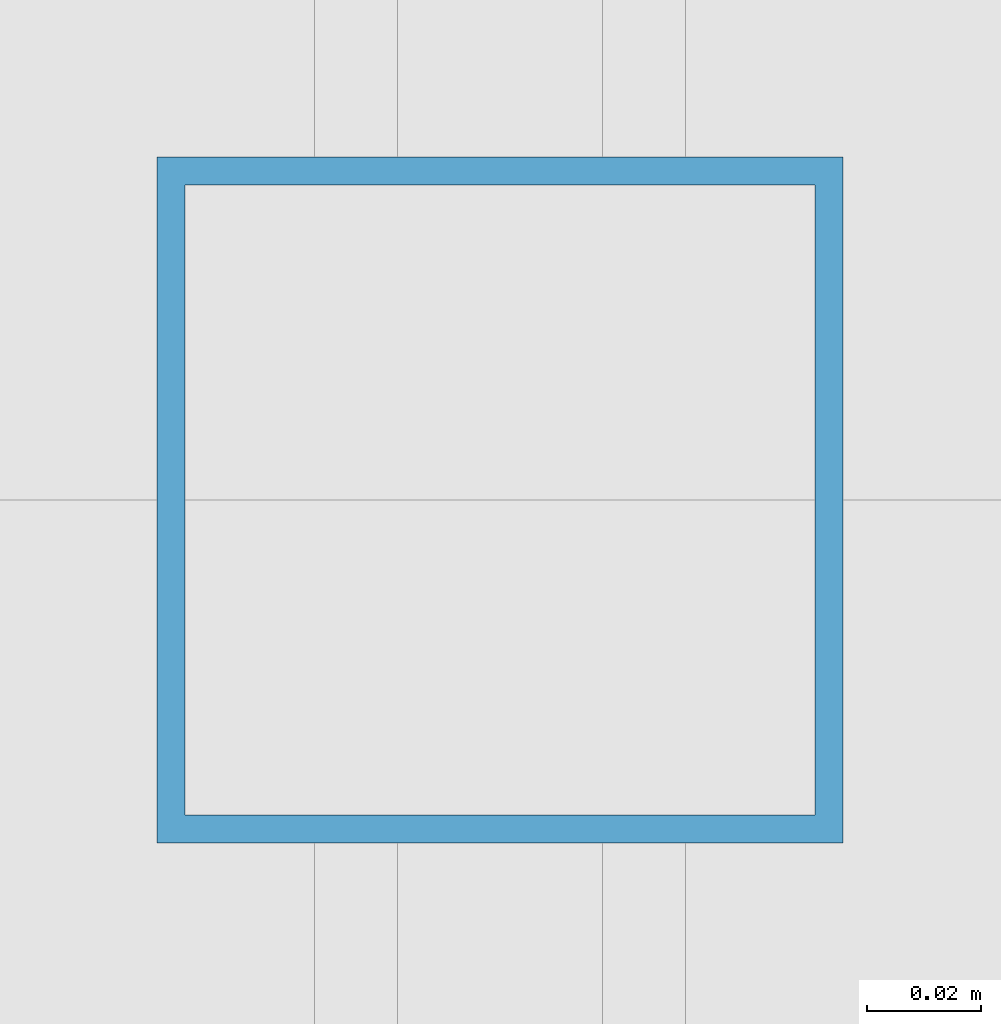
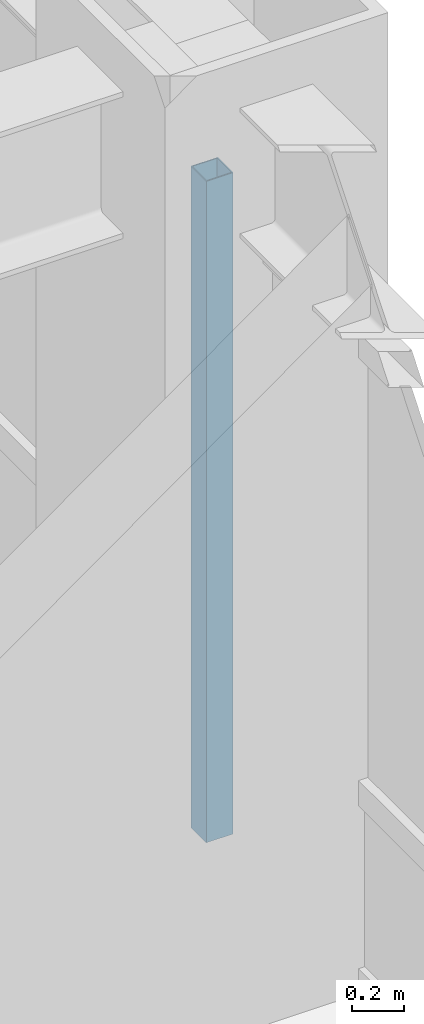
# One storey, part 10 of 24: 1 member, 1 element without a shape of its own.
"""IFC4 building model written with IfcOpenShell, lengths in metres."""

from ifc_helpers import new_model, si_unit, direction, frame, origin, origin_2d, place, context, subcontext, project, spatial, hollow_rectangle, extrude, source, transform, mapped, material, material_profile, profile_set, type_object, element, aggregate, save


model = new_model("IFC4")

# Units and contexts
model_context = context("Model", 3, precision=1e-05, world=origin(), true_north=direction((0.0, 1.0)))
body_context = subcontext(model_context, "Body", "Model", "MODEL_VIEW")
ifc_project = project(units=[si_unit("LENGTHUNIT", "METRE"), si_unit("AREAUNIT", "SQUARE_METRE"), si_unit("VOLUMEUNIT", "CUBIC_METRE"), si_unit("PLANEANGLEUNIT", "RADIAN"), si_unit("MASSUNIT", "GRAM", prefix="KILO")], contexts=[model_context])

# Site, building, storey
site_placement = place(None, origin())
site = spatial("IfcSite", under=ifc_project, at=site_placement, CompositionType="ELEMENT")
building_placement = place(site_placement, origin())
building = spatial("IfcBuilding", under=site, at=building_placement, Name="Khorayat Bourse Tower", CompositionType="ELEMENT")
storey_placement = place(building_placement, frame((0.0, 0.0, 259.10009765625)))
storey = spatial("IfcBuildingStorey", under=building, at=storey_placement, Name="L61", CompositionType="ELEMENT", Elevation=259.10009765625)

# Curtain wall, member
ifc_material = material(Name="Aluminium EN AW-6063 T6", Category="aluminium")
curtain_wall_type = type_object("IfcCurtainWallType", Name="CW-SYS-03", PredefinedType="NOTDEFINED", material=ifc_material)
curtain_wall_placement = place(storey_placement, origin())
curtain_wall = element("IfcCurtainWall", 1, at=curtain_wall_placement, inside=storey, type_object=curtain_wall_type, Name="L61 Curtain Wall CW-L61-E1", PredefinedType="NOTDEFINED")
ifc_material_profile = material_profile(ifc_material, hollow_rectangle(XDim=0.1201171875, YDim=0.1201171875, WallThickness=0.0048828125, at=origin_2d()), Name="ALU 120x120x5")
ifc_profile_set = profile_set([ifc_material_profile], Name="Aluminium EN AW-6063 T6")
member_type = type_object("IfcMemberType", Name="CWM-VERT-120", PredefinedType="MULLION", material=ifc_profile_set)
shared_shape = source(origin(), body_context, "Body", "SweptSolid", [
    extrude(hollow_rectangle(XDim=0.1201171875, YDim=0.1201171875, WallThickness=0.0048828125, at=origin_2d()), origin(), (0.0, 0.0, 1.0), 3.1298828125),
])
member_placement = place(storey_placement, frame((30.0, 0.0, 0.0), z_axis=(0.0, 0.0, 1.0), x_axis=(-1.0, 0.0, 0.0)))
member = element("IfcMember", 2, at=member_placement, type_object=member_type, Name="CW-L61-E1 Vertical Mullion 2", PredefinedType="MULLION", context=body_context, shape_type="MappedRepresentation", body=[
    mapped(shared_shape, transform((0.0, 0.0, 0.0), scale=1.0)),
])
aggregate(curtain_wall, [member])

save(model, "model.ifc")
